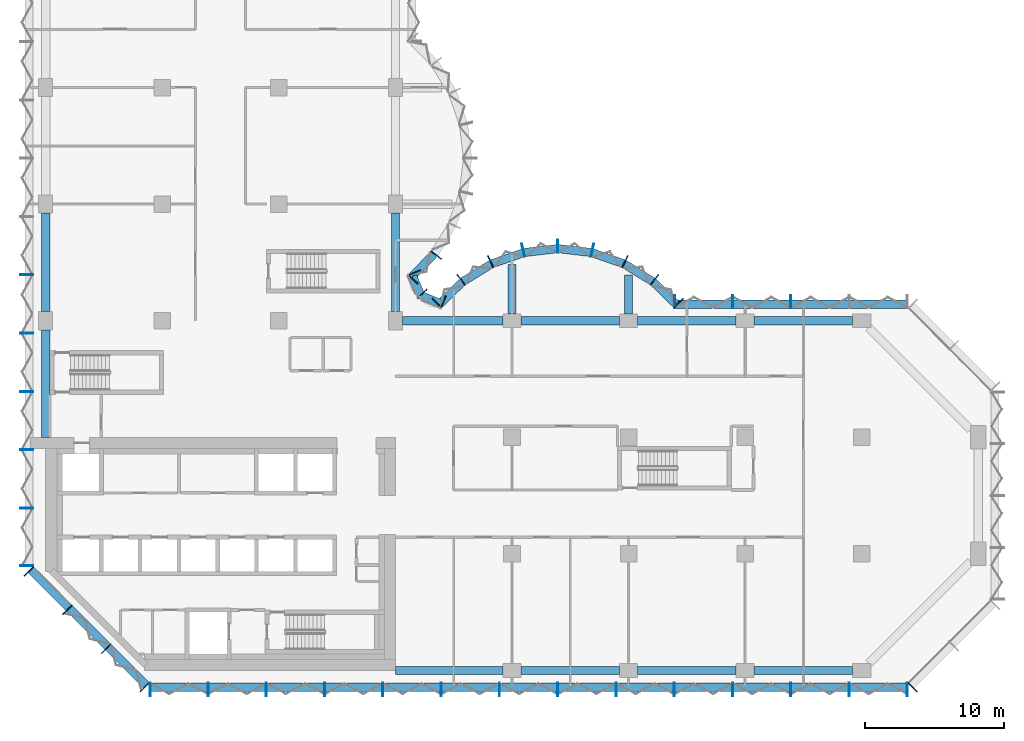
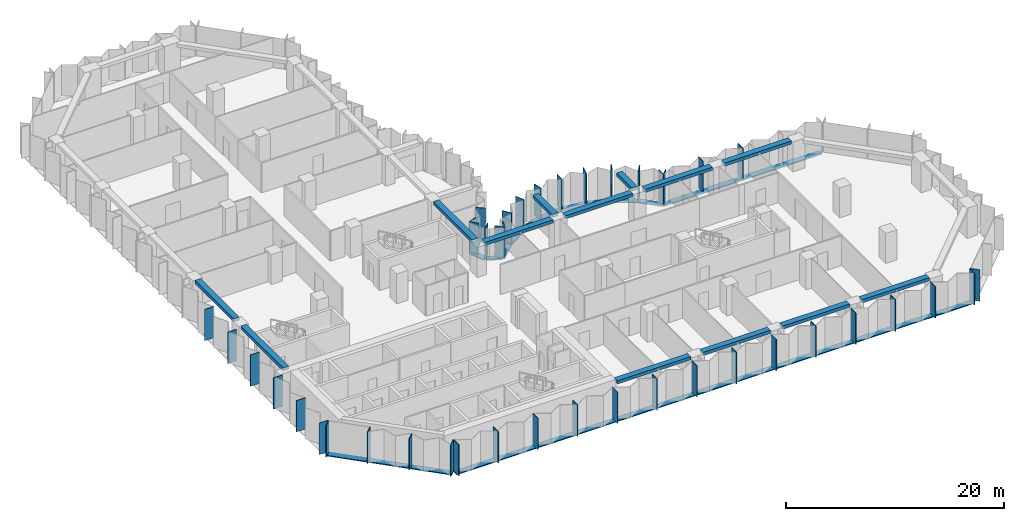
# One storey, part 2 of 13: 56 members, 13 beams, 8 elements without a shape of their own.
"""IFC4 building model written with IfcOpenShell, lengths in metres."""

from ifc_helpers import new_model, si_unit, direction, frame, origin, origin_2d, place, context, subcontext, project, spatial, rectangle, extrude, material, material_profile, profile_set, type_object, element, aggregate, save


model = new_model("IFC4")

# Units and contexts
model_context = context("Model", 3, precision=1e-05, world=origin(), true_north=direction((0.0, 1.0)))
body_context = subcontext(model_context, "Body", "Model", "MODEL_VIEW")
ifc_project = project(units=[si_unit("LENGTHUNIT", "METRE"), si_unit("AREAUNIT", "SQUARE_METRE"), si_unit("VOLUMEUNIT", "CUBIC_METRE"), si_unit("PLANEANGLEUNIT", "RADIAN"), si_unit("MASSUNIT", "GRAM", prefix="KILO")], contexts=[model_context])

# Site, building, storey
site_placement = place(None, origin())
site = spatial("IfcSite", under=ifc_project, at=site_placement, CompositionType="ELEMENT")
building_placement = place(site_placement, origin())
building = spatial("IfcBuilding", under=site, at=building_placement, Name="Brevane Broadcast Tower", CompositionType="ELEMENT")
storey_placement = place(building_placement, frame((0.0, 0.0, 127.699951171875)))
storey = spatial("IfcBuildingStorey", under=building, at=storey_placement, Name="L31", CompositionType="ELEMENT", Elevation=127.699951171875)

# Curtain wall, members
ifc_material_1 = material(Name="Aluminium 6063-T6 bronze anodised", Category="aluminium")
curtain_wall_type = type_object("IfcCurtainWallType", Name="CW-1 curtain wall", PredefinedType="NOTDEFINED", material=ifc_material_1)
curtain_wall_1_placement = place(storey_placement, origin())
curtain_wall_1 = element("IfcCurtainWall", 1, at=curtain_wall_1_placement, inside=storey, type_object=curtain_wall_type, Name="CW-1 typical tilted unit L31 south face", PredefinedType="NOTDEFINED")
ifc_material_profile_1 = material_profile(ifc_material_1, rectangle(XDim=0.949951171875, YDim=0.070068359375, at=origin_2d()), Name="RECT 70x950")
ifc_profile_set_1 = profile_set([ifc_material_profile_1], Name="Aluminium 6063-T6 bronze anodised")
member_type_1 = type_object("IfcMemberType", Name="CW-1 mullion 70x950", PredefinedType="MULLION", material=ifc_profile_set_1)
member_1_placement = place(storey_placement, frame((7.534912109375, -1.375, -0.14990234375), z_axis=(0.0, 0.0, 1.0), x_axis=(0.0, 1.0, 0.0)))
member_1 = element("IfcMember", 2, at=member_1_placement, type_object=member_type_1, Name="CW-1 mullion", PredefinedType="MULLION", context=body_context, shape_type="SweptSolid", body=[
    extrude(rectangle(XDim=0.949951171875, YDim=0.070068359375, at=origin_2d()), origin(), (0.0, 0.0, 1.0), 3.5),
])
member_2_placement = place(storey_placement, frame((11.699951171875, -1.375, -0.14990234375), z_axis=(0.0, 0.0, 1.0), x_axis=(0.0, 1.0, 0.0)))
member_2 = element("IfcMember", 3, at=member_2_placement, type_object=member_type_1, Name="CW-1 mullion", PredefinedType="MULLION", context=body_context, shape_type="SweptSolid", body=[
    extrude(rectangle(XDim=0.949951171875, YDim=0.070068359375, at=origin_2d()), origin(), (0.0, 0.0, 1.0), 3.5),
])
member_3_placement = place(storey_placement, frame((15.89990234375, -1.375, -0.14990234375), z_axis=(0.0, 0.0, 1.0), x_axis=(0.0, 1.0, 0.0)))
member_3 = element("IfcMember", 4, at=member_3_placement, type_object=member_type_1, Name="CW-1 mullion", PredefinedType="MULLION", context=body_context, shape_type="SweptSolid", body=[
    extrude(rectangle(XDim=0.949951171875, YDim=0.070068359375, at=origin_2d()), origin(), (0.0, 0.0, 1.0), 3.5),
])
member_4_placement = place(storey_placement, frame((20.10009765625, -1.375, -0.14990234375), z_axis=(0.0, 0.0, 1.0), x_axis=(0.0, 1.0, 0.0)))
member_4 = element("IfcMember", 5, at=member_4_placement, type_object=member_type_1, Name="CW-1 mullion", PredefinedType="MULLION", context=body_context, shape_type="SweptSolid", body=[
    extrude(rectangle(XDim=0.949951171875, YDim=0.070068359375, at=origin_2d()), origin(), (0.0, 0.0, 1.0), 3.5),
])
member_5_placement = place(storey_placement, frame((24.300048828125, -1.375, -0.14990234375), z_axis=(0.0, 0.0, 1.0), x_axis=(0.0, 1.0, 0.0)))
member_5 = element("IfcMember", 6, at=member_5_placement, type_object=member_type_1, Name="CW-1 mullion", PredefinedType="MULLION", context=body_context, shape_type="SweptSolid", body=[
    extrude(rectangle(XDim=0.949951171875, YDim=0.070068359375, at=origin_2d()), origin(), (0.0, 0.0, 1.0), 3.5),
])
member_6_placement = place(storey_placement, frame((28.5, -1.375, -0.14990234375), z_axis=(0.0, 0.0, 1.0), x_axis=(0.0, 1.0, 0.0)))
member_6 = element("IfcMember", 7, at=member_6_placement, type_object=member_type_1, Name="CW-1 mullion", PredefinedType="MULLION", context=body_context, shape_type="SweptSolid", body=[
    extrude(rectangle(XDim=0.949951171875, YDim=0.070068359375, at=origin_2d()), origin(), (0.0, 0.0, 1.0), 3.5),
])
member_7_placement = place(storey_placement, frame((32.699951171875, -1.375, -0.14990234375), z_axis=(0.0, 0.0, 1.0), x_axis=(0.0, 1.0, 0.0)))
member_7 = element("IfcMember", 8, at=member_7_placement, type_object=member_type_1, Name="CW-1 mullion", PredefinedType="MULLION", context=body_context, shape_type="SweptSolid", body=[
    extrude(rectangle(XDim=0.949951171875, YDim=0.070068359375, at=origin_2d()), origin(), (0.0, 0.0, 1.0), 3.5),
])
member_8_placement = place(storey_placement, frame((36.89990234375, -1.375, -0.14990234375), z_axis=(0.0, 0.0, 1.0), x_axis=(0.0, 1.0, 0.0)))
member_8 = element("IfcMember", 9, at=member_8_placement, type_object=member_type_1, Name="CW-1 mullion", PredefinedType="MULLION", context=body_context, shape_type="SweptSolid", body=[
    extrude(rectangle(XDim=0.949951171875, YDim=0.070068359375, at=origin_2d()), origin(), (0.0, 0.0, 1.0), 3.5),
])
member_9_placement = place(storey_placement, frame((41.10009765625, -1.375, -0.14990234375), z_axis=(0.0, 0.0, 1.0), x_axis=(0.0, 1.0, 0.0)))
member_9 = element("IfcMember", 10, at=member_9_placement, type_object=member_type_1, Name="CW-1 mullion", PredefinedType="MULLION", context=body_context, shape_type="SweptSolid", body=[
    extrude(rectangle(XDim=0.949951171875, YDim=0.070068359375, at=origin_2d()), origin(), (0.0, 0.0, 1.0), 3.5),
])
member_10_placement = place(storey_placement, frame((45.300048828125, -1.375, -0.14990234375), z_axis=(0.0, 0.0, 1.0), x_axis=(0.0, 1.0, 0.0)))
member_10 = element("IfcMember", 11, at=member_10_placement, type_object=member_type_1, Name="CW-1 mullion", PredefinedType="MULLION", context=body_context, shape_type="SweptSolid", body=[
    extrude(rectangle(XDim=0.949951171875, YDim=0.070068359375, at=origin_2d()), origin(), (0.0, 0.0, 1.0), 3.5),
])
member_11_placement = place(storey_placement, frame((49.5, -1.375, -0.14990234375), z_axis=(0.0, 0.0, 1.0), x_axis=(0.0, 1.0, 0.0)))
member_11 = element("IfcMember", 12, at=member_11_placement, type_object=member_type_1, Name="CW-1 mullion", PredefinedType="MULLION", context=body_context, shape_type="SweptSolid", body=[
    extrude(rectangle(XDim=0.949951171875, YDim=0.070068359375, at=origin_2d()), origin(), (0.0, 0.0, 1.0), 3.5),
])
member_12_placement = place(storey_placement, frame((53.699951171875, -1.375, -0.14990234375), z_axis=(0.0, 0.0, 1.0), x_axis=(0.0, 1.0, 0.0)))
member_12 = element("IfcMember", 13, at=member_12_placement, type_object=member_type_1, Name="CW-1 mullion", PredefinedType="MULLION", context=body_context, shape_type="SweptSolid", body=[
    extrude(rectangle(XDim=0.949951171875, YDim=0.070068359375, at=origin_2d()), origin(), (0.0, 0.0, 1.0), 3.5),
])
member_13_placement = place(storey_placement, frame((57.89990234375, -1.375, -0.14990234375), z_axis=(0.0, 0.0, 1.0), x_axis=(0.0, 1.0, 0.0)))
member_13 = element("IfcMember", 14, at=member_13_placement, type_object=member_type_1, Name="CW-1 mullion", PredefinedType="MULLION", context=body_context, shape_type="SweptSolid", body=[
    extrude(rectangle(XDim=0.949951171875, YDim=0.070068359375, at=origin_2d()), origin(), (0.0, 0.0, 1.0), 3.5),
])
member_14_placement = place(storey_placement, frame((62.06494140625, -1.375, -0.14990234375), z_axis=(0.0, 0.0, 1.0), x_axis=(0.0, 1.0, 0.0)))
member_14 = element("IfcMember", 15, at=member_14_placement, type_object=member_type_1, Name="CW-1 mullion", PredefinedType="MULLION", context=body_context, shape_type="SweptSolid", body=[
    extrude(rectangle(XDim=0.949951171875, YDim=0.070068359375, at=origin_2d()), origin(), (0.0, 0.0, 1.0), 3.5),
])

# Curtain wall, member
curtain_wall_2_placement = place(storey_placement, origin())
curtain_wall_2 = element("IfcCurtainWall", 16, at=curtain_wall_2_placement, inside=storey, type_object=curtain_wall_type, Name="CW-1 typical tilted unit L31 south-east chamfer", PredefinedType="NOTDEFINED")
member_15_placement = place(storey_placement, frame((62.460693359375, -1.211181640625, -0.14990234375), z_axis=(0.0, 0.0, 1.0), x_axis=(-0.707106781187, 0.707106781187, 0.0)))
member_15 = element("IfcMember", 17, at=member_15_placement, type_object=member_type_1, Name="CW-1 mullion", PredefinedType="MULLION", context=body_context, shape_type="SweptSolid", body=[
    extrude(rectangle(XDim=0.949951171875, YDim=0.070068359375, at=origin_2d()), origin(), (0.0, 0.0, 1.0), 3.5),
])
aggregate(curtain_wall_2, [member_15])

# Curtain wall, members
curtain_wall_3_placement = place(storey_placement, origin())
curtain_wall_3 = element("IfcCurtainWall", 18, at=curtain_wall_3_placement, inside=storey, type_object=curtain_wall_type, Name="CW-1 typical tilted unit L31 east arm north face", PredefinedType="NOTDEFINED")
member_16_placement = place(storey_placement, frame((53.699951171875, 26.574951171875, -0.14990234375), z_axis=(0.0, 0.0, 1.0), x_axis=(0.0, -1.0, 0.0)))
member_16 = element("IfcMember", 19, at=member_16_placement, type_object=member_type_1, Name="CW-1 mullion", PredefinedType="MULLION", context=body_context, shape_type="SweptSolid", body=[
    extrude(rectangle(XDim=0.949951171875, YDim=0.070068359375, at=origin_2d()), origin(), (0.0, 0.0, 1.0), 3.5),
])
member_17_placement = place(storey_placement, frame((49.5, 26.574951171875, -0.14990234375), z_axis=(0.0, 0.0, 1.0), x_axis=(0.0, -1.0, 0.0)))
member_17 = element("IfcMember", 20, at=member_17_placement, type_object=member_type_1, Name="CW-1 mullion", PredefinedType="MULLION", context=body_context, shape_type="SweptSolid", body=[
    extrude(rectangle(XDim=0.949951171875, YDim=0.070068359375, at=origin_2d()), origin(), (0.0, 0.0, 1.0), 3.5),
])
member_18_placement = place(storey_placement, frame((45.3349609375, 26.574951171875, -0.14990234375), z_axis=(0.0, 0.0, 1.0), x_axis=(0.0, -1.0, 0.0)))
member_18 = element("IfcMember", 21, at=member_18_placement, type_object=member_type_1, Name="CW-1 mullion", PredefinedType="MULLION", context=body_context, shape_type="SweptSolid", body=[
    extrude(rectangle(XDim=0.949951171875, YDim=0.070068359375, at=origin_2d()), origin(), (0.0, 0.0, 1.0), 3.5),
])

curtain_wall_4_placement = place(storey_placement, origin())
curtain_wall_4 = element("IfcCurtainWall", 22, at=curtain_wall_4_placement, inside=storey, type_object=curtain_wall_type, Name="CW-1 typical tilted unit L31 east bow", PredefinedType="NOTDEFINED")
member_19_placement = place(storey_placement, frame((45.60595703125, 26.465087890625, -0.14990234375), z_axis=(0.0, 0.0, 1.0), x_axis=(-0.696811941702, -0.717253872699, 0.0)))
member_19 = element("IfcMember", 23, at=member_19_placement, type_object=member_type_1, Name="CW-1 mullion", PredefinedType="MULLION", context=body_context, shape_type="SweptSolid", body=[
    extrude(rectangle(XDim=0.949951171875, YDim=0.070068359375, at=origin_2d()), origin(), (0.0, 0.0, 1.0), 3.5),
])
member_20_placement = place(storey_placement, frame((43.8720703125, 28.1455078125, -0.14990234375), z_axis=(0.0, 0.0, 1.0), x_axis=(-0.614769738617, -0.788706642853, 0.0)))
member_20 = element("IfcMember", 24, at=member_20_placement, type_object=member_type_1, Name="CW-1 mullion", PredefinedType="MULLION", context=body_context, shape_type="SweptSolid", body=[
    extrude(rectangle(XDim=0.949951171875, YDim=0.070068359375, at=origin_2d()), origin(), (0.0, 0.0, 1.0), 3.5),
])
member_21_placement = place(storey_placement, frame((41.746826171875, 29.4580078125, -0.14990234375), z_axis=(0.0, 0.0, 1.0), x_axis=(-0.429933601163, -0.902860508933, 0.0)))
member_21 = element("IfcMember", 25, at=member_21_placement, type_object=member_type_1, Name="CW-1 mullion", PredefinedType="MULLION", context=body_context, shape_type="SweptSolid", body=[
    extrude(rectangle(XDim=0.949951171875, YDim=0.070068359375, at=origin_2d()), origin(), (0.0, 0.0, 1.0), 3.5),
])
member_22_placement = place(storey_placement, frame((39.38818359375, 30.28076171875, -0.14990234375), z_axis=(0.0, 0.0, 1.0), x_axis=(-0.224806482215, -0.974403430594, 0.0)))
member_22 = element("IfcMember", 26, at=member_22_placement, type_object=member_type_1, Name="CW-1 mullion", PredefinedType="MULLION", context=body_context, shape_type="SweptSolid", body=[
    extrude(rectangle(XDim=0.949951171875, YDim=0.070068359375, at=origin_2d()), origin(), (0.0, 0.0, 1.0), 3.5),
])
member_23_placement = place(storey_placement, frame((36.89990234375, 30.574951171875, -0.14990234375), z_axis=(0.0, 0.0, 1.0), x_axis=(0.0, -1.0, 0.0)))
member_23 = element("IfcMember", 27, at=member_23_placement, type_object=member_type_1, Name="CW-1 mullion", PredefinedType="MULLION", context=body_context, shape_type="SweptSolid", body=[
    extrude(rectangle(XDim=0.949951171875, YDim=0.070068359375, at=origin_2d()), origin(), (0.0, 0.0, 1.0), 3.5),
])
member_24_placement = place(storey_placement, frame((34.411865234375, 30.28076171875, -0.14990234375), z_axis=(0.0, 0.0, 1.0), x_axis=(0.224806482215, -0.974403430594, 0.0)))
member_24 = element("IfcMember", 28, at=member_24_placement, type_object=member_type_1, Name="CW-1 mullion", PredefinedType="MULLION", context=body_context, shape_type="SweptSolid", body=[
    extrude(rectangle(XDim=0.949951171875, YDim=0.070068359375, at=origin_2d()), origin(), (0.0, 0.0, 1.0), 3.5),
])
member_25_placement = place(storey_placement, frame((32.05322265625, 29.4580078125, -0.14990234375), z_axis=(0.0, 0.0, 1.0), x_axis=(0.429933601163, -0.902860508933, 0.0)))
member_25 = element("IfcMember", 29, at=member_25_placement, type_object=member_type_1, Name="CW-1 mullion", PredefinedType="MULLION", context=body_context, shape_type="SweptSolid", body=[
    extrude(rectangle(XDim=0.949951171875, YDim=0.070068359375, at=origin_2d()), origin(), (0.0, 0.0, 1.0), 3.5),
])
member_26_placement = place(storey_placement, frame((29.927978515625, 28.1455078125, -0.14990234375), z_axis=(0.0, 0.0, 1.0), x_axis=(0.614769738617, -0.788706642853, 0.0)))
member_26 = element("IfcMember", 30, at=member_26_placement, type_object=member_type_1, Name="CW-1 mullion", PredefinedType="MULLION", context=body_context, shape_type="SweptSolid", body=[
    extrude(rectangle(XDim=0.949951171875, YDim=0.070068359375, at=origin_2d()), origin(), (0.0, 0.0, 1.0), 3.5),
])
member_27_placement = place(storey_placement, frame((28.194091796875, 26.465087890625, -0.14990234375), z_axis=(0.0, 0.0, 1.0), x_axis=(0.696811941702, -0.717253872699, 0.0)))
member_27 = element("IfcMember", 31, at=member_27_placement, type_object=member_type_1, Name="CW-1 mullion", PredefinedType="MULLION", context=body_context, shape_type="SweptSolid", body=[
    extrude(rectangle(XDim=0.949951171875, YDim=0.070068359375, at=origin_2d()), origin(), (0.0, 0.0, 1.0), 3.5),
])

curtain_wall_5_placement = place(storey_placement, origin())
curtain_wall_5 = element("IfcCurtainWall", 32, at=curtain_wall_5_placement, inside=storey, type_object=curtain_wall_type, Name="CW-1 typical tilted unit L31 inner corner", PredefinedType="NOTDEFINED")
member_28_placement = place(storey_placement, frame((28.6494140625, 26.55224609375, -0.14990234375), z_axis=(0.0, 0.0, 1.0), x_axis=(-0.382683612978, -0.923879457699, 0.0)))
member_28 = element("IfcMember", 33, at=member_28_placement, type_object=member_type_1, Name="CW-1 mullion", PredefinedType="MULLION", context=body_context, shape_type="SweptSolid", body=[
    extrude(rectangle(XDim=0.949951171875, YDim=0.070068359375, at=origin_2d()), origin(), (0.0, 0.0, 1.0), 3.5),
])
member_29_placement = place(storey_placement, frame((27.138916015625, 27.138916015625, -0.14990234375), z_axis=(0.0, 0.0, 1.0), x_axis=(-0.707106781187, -0.707106781187, 0.0)))
member_29 = element("IfcMember", 34, at=member_29_placement, type_object=member_type_1, Name="CW-1 mullion", PredefinedType="MULLION", context=body_context, shape_type="SweptSolid", body=[
    extrude(rectangle(XDim=0.949951171875, YDim=0.070068359375, at=origin_2d()), origin(), (0.0, 0.0, 1.0), 3.5),
])
member_30_placement = place(storey_placement, frame((26.55224609375, 28.6494140625, -0.14990234375), z_axis=(0.0, 0.0, 1.0), x_axis=(-0.923879457699, -0.382683612978, 0.0)))
member_30 = element("IfcMember", 35, at=member_30_placement, type_object=member_type_1, Name="CW-1 mullion", PredefinedType="MULLION", context=body_context, shape_type="SweptSolid", body=[
    extrude(rectangle(XDim=0.949951171875, YDim=0.070068359375, at=origin_2d()), origin(), (0.0, 0.0, 1.0), 3.5),
])

curtain_wall_6_placement = place(storey_placement, origin())
curtain_wall_6 = element("IfcCurtainWall", 36, at=curtain_wall_6_placement, inside=storey, type_object=curtain_wall_type, Name="CW-1 typical tilted unit L31 north bow", PredefinedType="NOTDEFINED")
member_31_placement = place(storey_placement, frame((26.465087890625, 28.194091796875, -0.14990234375), z_axis=(0.0, 0.0, 1.0), x_axis=(-0.717253872699, 0.696811941702, 0.0)))
member_31 = element("IfcMember", 37, at=member_31_placement, type_object=member_type_1, Name="CW-1 mullion", PredefinedType="MULLION", context=body_context, shape_type="SweptSolid", body=[
    extrude(rectangle(XDim=0.949951171875, YDim=0.070068359375, at=origin_2d()), origin(), (0.0, 0.0, 1.0), 3.5),
])
member_32_placement = place(storey_placement, frame((28.1455078125, 29.927978515625, -0.14990234375), z_axis=(0.0, 0.0, 1.0), x_axis=(-0.788706642853, 0.614769738617, 0.0)))
member_32 = element("IfcMember", 38, at=member_32_placement, type_object=member_type_1, Name="CW-1 mullion", PredefinedType="MULLION", context=body_context, shape_type="SweptSolid", body=[
    extrude(rectangle(XDim=0.949951171875, YDim=0.070068359375, at=origin_2d()), origin(), (0.0, 0.0, 1.0), 3.5),
])

curtain_wall_7_placement = place(storey_placement, origin())
curtain_wall_7 = element("IfcCurtainWall", 39, at=curtain_wall_7_placement, inside=storey, type_object=curtain_wall_type, Name="CW-1 typical tilted unit L31 west face", PredefinedType="NOTDEFINED")
member_33_placement = place(storey_placement, frame((-1.375, 28.5, -0.14990234375), z_axis=(0.0, 0.0, 1.0), x_axis=(1.0, 0.0, 0.0)))
member_33 = element("IfcMember", 40, at=member_33_placement, type_object=member_type_1, Name="CW-1 mullion", PredefinedType="MULLION", context=body_context, shape_type="SweptSolid", body=[
    extrude(rectangle(XDim=0.949951171875, YDim=0.070068359375, at=origin_2d()), origin(), (0.0, 0.0, 1.0), 3.5),
])
member_34_placement = place(storey_placement, frame((-1.375, 24.300048828125, -0.14990234375), z_axis=(0.0, 0.0, 1.0), x_axis=(1.0, 0.0, 0.0)))
member_34 = element("IfcMember", 41, at=member_34_placement, type_object=member_type_1, Name="CW-1 mullion", PredefinedType="MULLION", context=body_context, shape_type="SweptSolid", body=[
    extrude(rectangle(XDim=0.949951171875, YDim=0.070068359375, at=origin_2d()), origin(), (0.0, 0.0, 1.0), 3.5),
])
member_35_placement = place(storey_placement, frame((-1.375, 20.10009765625, -0.14990234375), z_axis=(0.0, 0.0, 1.0), x_axis=(1.0, 0.0, 0.0)))
member_35 = element("IfcMember", 42, at=member_35_placement, type_object=member_type_1, Name="CW-1 mullion", PredefinedType="MULLION", context=body_context, shape_type="SweptSolid", body=[
    extrude(rectangle(XDim=0.949951171875, YDim=0.070068359375, at=origin_2d()), origin(), (0.0, 0.0, 1.0), 3.5),
])
member_36_placement = place(storey_placement, frame((-1.375, 15.89990234375, -0.14990234375), z_axis=(0.0, 0.0, 1.0), x_axis=(1.0, 0.0, 0.0)))
member_36 = element("IfcMember", 43, at=member_36_placement, type_object=member_type_1, Name="CW-1 mullion", PredefinedType="MULLION", context=body_context, shape_type="SweptSolid", body=[
    extrude(rectangle(XDim=0.949951171875, YDim=0.070068359375, at=origin_2d()), origin(), (0.0, 0.0, 1.0), 3.5),
])
member_37_placement = place(storey_placement, frame((-1.375, 11.699951171875, -0.14990234375), z_axis=(0.0, 0.0, 1.0), x_axis=(1.0, 0.0, 0.0)))
member_37 = element("IfcMember", 44, at=member_37_placement, type_object=member_type_1, Name="CW-1 mullion", PredefinedType="MULLION", context=body_context, shape_type="SweptSolid", body=[
    extrude(rectangle(XDim=0.949951171875, YDim=0.070068359375, at=origin_2d()), origin(), (0.0, 0.0, 1.0), 3.5),
])
member_38_placement = place(storey_placement, frame((-1.375, 7.534912109375, -0.14990234375), z_axis=(0.0, 0.0, 1.0), x_axis=(1.0, 0.0, 0.0)))
member_38 = element("IfcMember", 45, at=member_38_placement, type_object=member_type_1, Name="CW-1 mullion", PredefinedType="MULLION", context=body_context, shape_type="SweptSolid", body=[
    extrude(rectangle(XDim=0.949951171875, YDim=0.070068359375, at=origin_2d()), origin(), (0.0, 0.0, 1.0), 3.5),
])
aggregate(curtain_wall_7, [member_33, member_34, member_35, member_36, member_37, member_38])

curtain_wall_8_placement = place(storey_placement, origin())
curtain_wall_8 = element("IfcCurtainWall", 46, at=curtain_wall_8_placement, inside=storey, type_object=curtain_wall_type, Name="CW-1 typical tilted unit L31 south-west chamfer", PredefinedType="NOTDEFINED")
member_39_placement = place(storey_placement, frame((-1.211181640625, 7.139404296875, -0.14990234375), z_axis=(0.0, 0.0, 1.0), x_axis=(0.707106781187, 0.707106781187, 0.0)))
member_39 = element("IfcMember", 47, at=member_39_placement, type_object=member_type_1, Name="CW-1 mullion", PredefinedType="MULLION", context=body_context, shape_type="SweptSolid", body=[
    extrude(rectangle(XDim=0.949951171875, YDim=0.070068359375, at=origin_2d()), origin(), (0.0, 0.0, 1.0), 3.5),
])
member_40_placement = place(storey_placement, frame((1.564208984375, 4.364013671875, -0.14990234375), z_axis=(0.0, 0.0, 1.0), x_axis=(0.707106781187, 0.707106781187, 0.0)))
member_40 = element("IfcMember", 48, at=member_40_placement, type_object=member_type_1, Name="CW-1 mullion", PredefinedType="MULLION", context=body_context, shape_type="SweptSolid", body=[
    extrude(rectangle(XDim=0.949951171875, YDim=0.070068359375, at=origin_2d()), origin(), (0.0, 0.0, 1.0), 3.5),
])
member_41_placement = place(storey_placement, frame((4.364013671875, 1.564208984375, -0.14990234375), z_axis=(0.0, 0.0, 1.0), x_axis=(0.707106781187, 0.707106781187, 0.0)))
member_41 = element("IfcMember", 49, at=member_41_placement, type_object=member_type_1, Name="CW-1 mullion", PredefinedType="MULLION", context=body_context, shape_type="SweptSolid", body=[
    extrude(rectangle(XDim=0.949951171875, YDim=0.070068359375, at=origin_2d()), origin(), (0.0, 0.0, 1.0), 3.5),
])
member_42_placement = place(storey_placement, frame((7.139404296875, -1.211181640625, -0.14990234375), z_axis=(0.0, 0.0, 1.0), x_axis=(0.707106781187, 0.707106781187, 0.0)))
member_42 = element("IfcMember", 50, at=member_42_placement, type_object=member_type_1, Name="CW-1 mullion", PredefinedType="MULLION", context=body_context, shape_type="SweptSolid", body=[
    extrude(rectangle(XDim=0.949951171875, YDim=0.070068359375, at=origin_2d()), origin(), (0.0, 0.0, 1.0), 3.5),
])

# Member
ifc_material_profile_2 = material_profile(ifc_material_1, rectangle(XDim=0.60009765625, YDim=0.10009765625, at=origin_2d()), Name="RECT 100x600")
ifc_profile_set_2 = profile_set([ifc_material_profile_2], Name="Aluminium 6063-T6 bronze anodised")
member_type_2 = type_object("IfcMemberType", Name="CW-1 transom 100x600", PredefinedType="USERDEFINED", material=ifc_profile_set_2)
member_43_placement = place(storey_placement, frame((7.5, -1.199951171875, -0.199951171875), z_axis=(1.0, 0.0, 0.0), x_axis=(0.0, 1.0, 0.0)))
member_43 = element("IfcMember", 51, at=member_43_placement, type_object=member_type_2, Name="CW-1 transom", ObjectType="TRANSOM", PredefinedType="USERDEFINED", context=body_context, shape_type="SweptSolid", body=[
    extrude(rectangle(XDim=0.60009765625, YDim=0.10009765625, at=origin_2d()), origin(), (0.0, 0.0, 1.0), 54.60009765625),
])

aggregate(curtain_wall_1, [member_1, member_2, member_3, member_4, member_5, member_6, member_7, member_8, member_9, member_10, member_11, member_12, member_13, member_14, member_43])

member_44_placement = place(storey_placement, frame((62.10009765625, 26.39990234375, -0.199951171875), z_axis=(-1.0, 0.0, 0.0), x_axis=(0.0, -1.0, 0.0)))
member_44 = element("IfcMember", 52, at=member_44_placement, type_object=member_type_2, Name="CW-1 transom", ObjectType="TRANSOM", PredefinedType="USERDEFINED", context=body_context, shape_type="SweptSolid", body=[
    extrude(rectangle(XDim=0.60009765625, YDim=0.10009765625, at=origin_2d()), origin(), (0.0, 0.0, 1.0), 16.800048828125),
])

aggregate(curtain_wall_3, [member_16, member_17, member_18, member_44])

member_45_placement = place(storey_placement, frame((45.412841796875, 26.407958984375, -0.199951171875), z_axis=(-0.71724215871, 0.696823999134, 0.0), x_axis=(-0.696823999134, -0.71724215871, 0.0)))
member_45 = element("IfcMember", 53, at=member_45_placement, type_object=member_type_2, Name="CW-1 transom", ObjectType="TRANSOM", PredefinedType="USERDEFINED", context=body_context, shape_type="SweptSolid", body=[
    extrude(rectangle(XDim=0.60009765625, YDim=0.10009765625, at=origin_2d()), origin(), (0.0, 0.0, 1.0), 2.247802734375),
])

member_46_placement = place(storey_placement, frame((43.7421875, 28.023193359375, -0.199951171875), z_axis=(-0.850810063131, 0.525473345162, 0.0), x_axis=(-0.525473345162, -0.850810063131, 0.0)))
member_46 = element("IfcMember", 54, at=member_46_placement, type_object=member_type_2, Name="CW-1 transom", ObjectType="TRANSOM", PredefinedType="USERDEFINED", context=body_context, shape_type="SweptSolid", body=[
    extrude(rectangle(XDim=0.60009765625, YDim=0.10009765625, at=origin_2d()), origin(), (0.0, 0.0, 1.0), 2.39453125),
])

member_47_placement = place(storey_placement, frame((41.63623046875, 29.314208984375, -0.199951171875), z_axis=(-0.944197969542, 0.329378497041, 0.0), x_axis=(-0.329378497041, -0.944197969542, 0.0)))
member_47 = element("IfcMember", 55, at=member_47_placement, type_object=member_type_2, Name="CW-1 transom", ObjectType="TRANSOM", PredefinedType="USERDEFINED", context=body_context, shape_type="SweptSolid", body=[
    extrude(rectangle(XDim=0.60009765625, YDim=0.10009765625, at=origin_2d()), origin(), (0.0, 0.0, 1.0), 2.394775390625),
])

member_48_placement = place(storey_placement, frame((39.30029296875, 30.117431640625, -0.199951171875), z_axis=(-0.993062061831, 0.117591417, 0.0), x_axis=(-0.117591417, -0.993062061831, 0.0)))
member_48 = element("IfcMember", 56, at=member_48_placement, type_object=member_type_2, Name="CW-1 transom", ObjectType="TRANSOM", PredefinedType="USERDEFINED", context=body_context, shape_type="SweptSolid", body=[
    extrude(rectangle(XDim=0.60009765625, YDim=0.10009765625, at=origin_2d()), origin(), (0.0, 0.0, 1.0), 2.39794921875),
])

member_49_placement = place(storey_placement, frame((36.880859375, 30.3994140625, -0.199951171875), z_axis=(-0.993060653805, -0.117603307202, 0.0), x_axis=(0.117603307202, -0.993060653805, 0.0)))
member_49 = element("IfcMember", 57, at=member_49_placement, type_object=member_type_2, Name="CW-1 transom", ObjectType="TRANSOM", PredefinedType="USERDEFINED", context=body_context, shape_type="SweptSolid", body=[
    extrude(rectangle(XDim=0.60009765625, YDim=0.10009765625, at=origin_2d()), origin(), (0.0, 0.0, 1.0), 2.397705078125),
])

member_50_placement = place(storey_placement, frame((34.425048828125, 30.10302734375, -0.199951171875), z_axis=(-0.944197969542, -0.329378497041, 0.0), x_axis=(0.329378497041, -0.944197969542, 0.0)))
member_50 = element("IfcMember", 58, at=member_50_placement, type_object=member_type_2, Name="CW-1 transom", ObjectType="TRANSOM", PredefinedType="USERDEFINED", context=body_context, shape_type="SweptSolid", body=[
    extrude(rectangle(XDim=0.60009765625, YDim=0.10009765625, at=origin_2d()), origin(), (0.0, 0.0, 1.0), 2.394775390625),
])

member_51_placement = place(storey_placement, frame((32.09521484375, 29.281494140625, -0.199951171875), z_axis=(-0.850838211365, -0.525427766759, 0.0), x_axis=(0.525427766759, -0.850838211365, 0.0)))
member_51 = element("IfcMember", 59, at=member_51_placement, type_object=member_type_2, Name="CW-1 transom", ObjectType="TRANSOM", PredefinedType="USERDEFINED", context=body_context, shape_type="SweptSolid", body=[
    extrude(rectangle(XDim=0.60009765625, YDim=0.10009765625, at=origin_2d()), origin(), (0.0, 0.0, 1.0), 2.394775390625),
])

member_52_placement = place(storey_placement, frame((29.99951171875, 27.974365234375, -0.199951171875), z_axis=(-0.71724215871, -0.696823999134, 0.0), x_axis=(0.696823999134, -0.71724215871, 0.0)))
member_52 = element("IfcMember", 60, at=member_52_placement, type_object=member_type_2, Name="CW-1 transom", ObjectType="TRANSOM", PredefinedType="USERDEFINED", context=body_context, shape_type="SweptSolid", body=[
    extrude(rectangle(XDim=0.60009765625, YDim=0.10009765625, at=origin_2d()), origin(), (0.0, 0.0, 1.0), 2.247802734375),
])

aggregate(curtain_wall_4, [member_19, member_20, member_21, member_22, member_23, member_24, member_25, member_26, member_27, member_45, member_46, member_47, member_48, member_49, member_50, member_51, member_52])

member_53_placement = place(storey_placement, frame((28.528076171875, 26.40673828125, -0.199951171875), z_axis=(-0.923883243627, 0.382674472816, 0.0), x_axis=(-0.382674472816, -0.923883243627, 0.0)))
member_53 = element("IfcMember", 61, at=member_53_placement, type_object=member_type_2, Name="CW-1 transom", ObjectType="TRANSOM", PredefinedType="USERDEFINED", context=body_context, shape_type="SweptSolid", body=[
    extrude(rectangle(XDim=0.60009765625, YDim=0.10009765625, at=origin_2d()), origin(), (0.0, 0.0, 1.0), 1.536865234375),
])

member_54_placement = place(storey_placement, frame((27.039794921875, 27.0, -0.199951171875), z_axis=(-0.382674472816, 0.923883243627, 0.0), x_axis=(-0.923883243627, -0.382674472816, 0.0)))
member_54 = element("IfcMember", 62, at=member_54_placement, type_object=member_type_2, Name="CW-1 transom", ObjectType="TRANSOM", PredefinedType="USERDEFINED", context=body_context, shape_type="SweptSolid", body=[
    extrude(rectangle(XDim=0.60009765625, YDim=0.10009765625, at=origin_2d()), origin(), (0.0, 0.0, 1.0), 1.536865234375),
])

aggregate(curtain_wall_5, [member_28, member_29, member_30, member_53, member_54])

member_55_placement = place(storey_placement, frame((26.407958984375, 28.38720703125, -0.199951171875), z_axis=(0.696823999134, 0.71724215871, 0.0), x_axis=(-0.71724215871, 0.696823999134, 0.0)))
member_55 = element("IfcMember", 63, at=member_55_placement, type_object=member_type_2, Name="CW-1 transom", ObjectType="TRANSOM", PredefinedType="USERDEFINED", context=body_context, shape_type="SweptSolid", body=[
    extrude(rectangle(XDim=0.60009765625, YDim=0.10009765625, at=origin_2d()), origin(), (0.0, 0.0, 1.0), 2.247802734375),
])

aggregate(curtain_wall_6, [member_31, member_32, member_55])

member_56_placement = place(storey_placement, frame((-1.112060546875, 7.287841796875, -0.199951171875), z_axis=(0.707106781187, -0.707106781187, 0.0), x_axis=(0.707106781187, 0.707106781187, 0.0)))
member_56 = element("IfcMember", 64, at=member_56_placement, type_object=member_type_2, Name="CW-1 transom", ObjectType="TRANSOM", PredefinedType="USERDEFINED", context=body_context, shape_type="SweptSolid", body=[
    extrude(rectangle(XDim=0.60009765625, YDim=0.10009765625, at=origin_2d()), origin(), (0.0, 0.0, 1.0), 11.879150390625),
])

aggregate(curtain_wall_8, [member_39, member_40, member_41, member_42, member_56])

# Beams
ifc_material_2 = material(Name="Concrete C40/50", Category="concrete")
ifc_material_profile_3 = material_profile(ifc_material_2, rectangle(XDim=0.60009765625, YDim=0.35009765625, at=origin_2d()), Name="RC 600x350")
ifc_profile_set_3 = profile_set([ifc_material_profile_3], Name="Concrete C40/50")
beam_type_1 = type_object("IfcBeamType", Name="RC BRACKET BEAM 600x350 C40/50", PredefinedType="BEAM", material=ifc_profile_set_3)
beam_1_placement = place(storey_placement, frame((33.60009765625, 25.699951171875, 3.175048828125), z_axis=(0.0, 1.0, 0.0), x_axis=(-1.0, 0.0, 0.0)))
element("IfcBeam", 65, at=beam_1_placement, inside=storey, type_object=beam_type_1, Name="EB2 L31-3", PredefinedType="BEAM", context=body_context, shape_type="SweptSolid", body=[
    extrude(rectangle(XDim=0.60009765625, YDim=0.35009765625, at=origin_2d()), origin(), (0.0, 0.0, 1.0), 3.56201171875),
])
beam_2_placement = place(storey_placement, frame((42.0, 25.699951171875, 3.175048828125), z_axis=(0.0, 1.0, 0.0), x_axis=(-1.0, 0.0, 0.0)))
element("IfcBeam", 66, at=beam_2_placement, inside=storey, type_object=beam_type_1, Name="EB2 L31-4", PredefinedType="BEAM", context=body_context, shape_type="SweptSolid", body=[
    extrude(rectangle(XDim=0.60009765625, YDim=0.35009765625, at=origin_2d()), origin(), (0.0, 0.0, 1.0), 2.8115234375),
])
ifc_material_profile_4 = material_profile(ifc_material_2, rectangle(XDim=0.60009765625, YDim=0.35009765625, at=origin_2d()), Name="RC 600x350")
ifc_profile_set_4 = profile_set([ifc_material_profile_4], Name="Concrete C40/50")
beam_type_2 = type_object("IfcBeamType", Name="RC SPANDREL BEAM 600x350 C40/50", PredefinedType="SPANDREL", material=ifc_profile_set_4)
beam_3_placement = place(storey_placement, frame((25.199951171875, 0.0, 3.175048828125), z_axis=(1.0, 0.0, 0.0), x_axis=(0.0, 1.0, 0.0)))
element("IfcBeam", 67, at=beam_3_placement, inside=storey, type_object=beam_type_2, Name="EB1 L31-1", PredefinedType="SPANDREL", context=body_context, shape_type="SweptSolid", body=[
    extrude(rectangle(XDim=0.60009765625, YDim=0.35009765625, at=origin_2d()), origin(), (0.0, 0.0, 1.0), 7.75),
])
for number, where, z_axis, x_axis, name in (
    (68, (34.25, 0.0, 3.175048828125), (1.0, 0.0, 0.0), (0.0, 1.0, 0.0), "EB1 L31-2"),
    (69, (42.64990234375, 0.0, 3.175048828125), (1.0, 0.0, 0.0), (0.0, 1.0, 0.0), "EB1 L31-3"),
):
    element("IfcBeam", number, at=place(storey_placement, frame(where, z_axis=z_axis, x_axis=x_axis)), inside=storey, type_object=beam_type_2, Name=name, PredefinedType="SPANDREL", context=body_context, shape_type="SweptSolid", body=[
        extrude(rectangle(XDim=0.60009765625, YDim=0.35009765625, at=origin_2d()), origin(), (0.0, 0.0, 1.0), 7.10009765625),
    ])
for number, where, z_axis, x_axis, name in (
    (70, (51.050048828125, 0.0, 3.175048828125), (1.0, 0.0, 0.0), (0.0, 1.0, 0.0), "EB1 L31-4"),
    (71, (58.14990234375, 25.199951171875, 3.175048828125), (-1.0, 0.0, 0.0), (0.0, -1.0, 0.0), "EB1 L31-8"),
):
    element("IfcBeam", number, at=place(storey_placement, frame(where, z_axis=z_axis, x_axis=x_axis)), inside=storey, type_object=beam_type_2, Name=name, PredefinedType="SPANDREL", context=body_context, shape_type="SweptSolid", body=[
        extrude(rectangle(XDim=0.60009765625, YDim=0.35009765625, at=origin_2d()), origin(), (0.0, 0.0, 1.0), 7.099853515625),
    ])
for number, where, z_axis, x_axis, name in (
    (72, (49.75, 25.199951171875, 3.175048828125), (-1.0, 0.0, 0.0), (0.0, -1.0, 0.0), "EB1 L31-9"),
    (73, (41.35009765625, 25.199951171875, 3.175048828125), (-1.0, 0.0, 0.0), (0.0, -1.0, 0.0), "EB1 L31-10"),
):
    element("IfcBeam", number, at=place(storey_placement, frame(where, z_axis=z_axis, x_axis=x_axis)), inside=storey, type_object=beam_type_2, Name=name, PredefinedType="SPANDREL", context=body_context, shape_type="SweptSolid", body=[
        extrude(rectangle(XDim=0.60009765625, YDim=0.35009765625, at=origin_2d()), origin(), (0.0, 0.0, 1.0), 7.10009765625),
    ])
beam_4_placement = place(storey_placement, frame((32.949951171875, 25.199951171875, 3.175048828125), z_axis=(-1.0, 0.0, 0.0), x_axis=(0.0, -1.0, 0.0)))
element("IfcBeam", 74, at=beam_4_placement, inside=storey, type_object=beam_type_2, Name="EB1 L31-11", PredefinedType="SPANDREL", context=body_context, shape_type="SweptSolid", body=[
    extrude(rectangle(XDim=0.60009765625, YDim=0.35009765625, at=origin_2d()), origin(), (0.0, 0.0, 1.0), 7.25),
])
for number, where, z_axis, x_axis, name in (
    (75, (25.199951171875, 25.85009765625, 3.175048828125), (0.0, 1.0, 0.0), (-1.0, 0.0, 0.0), "EB1 L31-12"),
    (76, (0.0, 32.949951171875, 3.175048828125), (0.0, -1.0, 0.0), (1.0, 0.0, 0.0), "EB1 L31-22"),
):
    element("IfcBeam", number, at=place(storey_placement, frame(where, z_axis=z_axis, x_axis=x_axis)), inside=storey, type_object=beam_type_2, Name=name, PredefinedType="SPANDREL", context=body_context, shape_type="SweptSolid", body=[
        extrude(rectangle(XDim=0.60009765625, YDim=0.35009765625, at=origin_2d()), origin(), (0.0, 0.0, 1.0), 7.099853515625),
    ])
beam_5_placement = place(storey_placement, frame((0.0, 24.550048828125, 3.175048828125), z_axis=(0.0, -1.0, 0.0), x_axis=(1.0, 0.0, 0.0)))
element("IfcBeam", 77, at=beam_5_placement, inside=storey, type_object=beam_type_2, Name="EB1 L31-23", PredefinedType="SPANDREL", context=body_context, shape_type="SweptSolid", body=[
    extrude(rectangle(XDim=0.60009765625, YDim=0.35009765625, at=origin_2d()), origin(), (0.0, 0.0, 1.0), 7.75),
])

save(model, "model.ifc")
